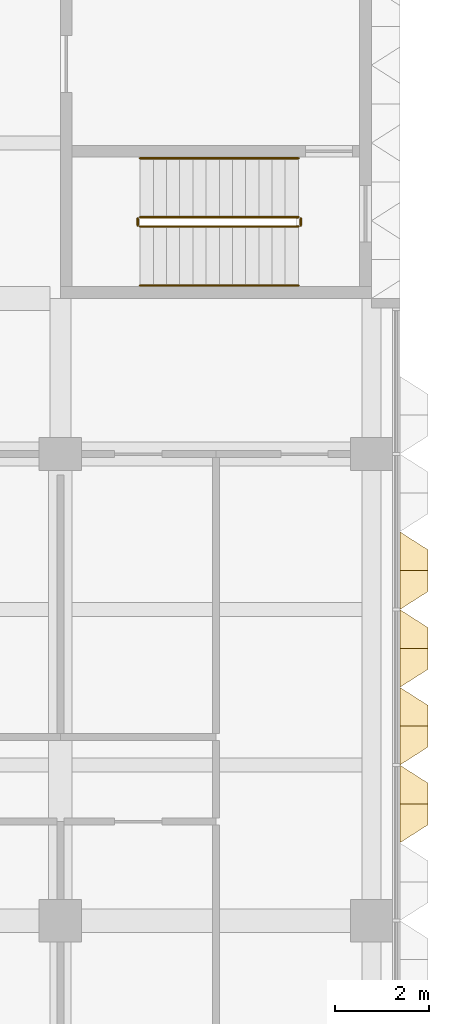
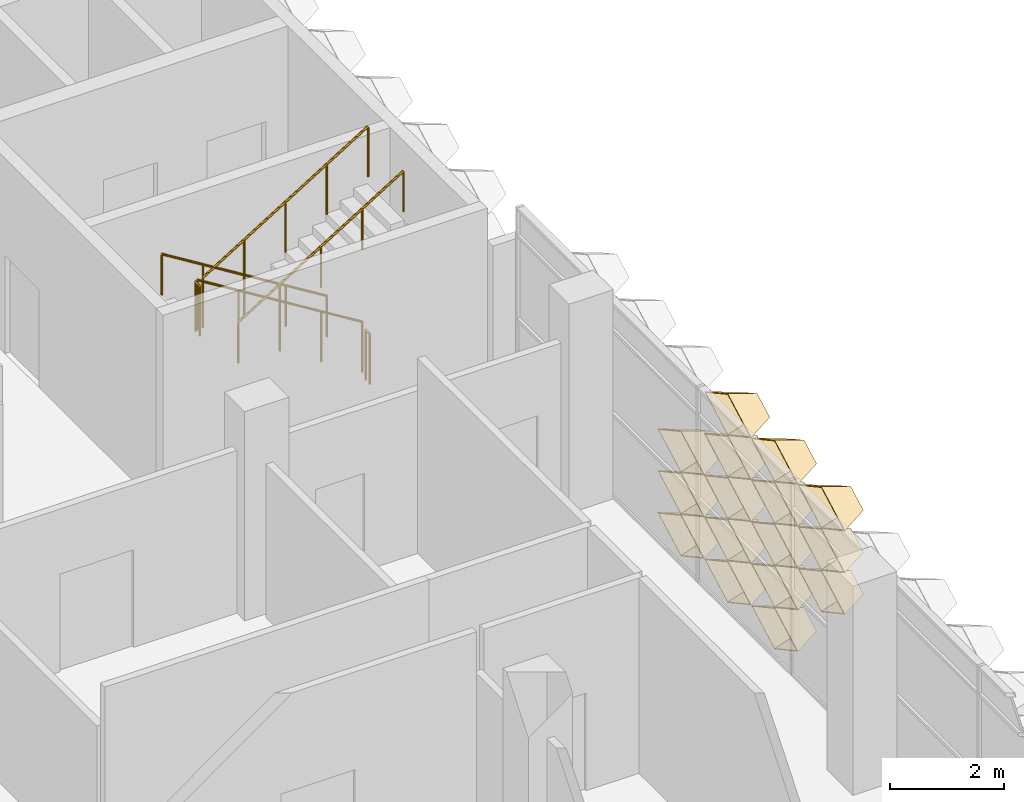
# One storey, part 81 of 109: 16 coverings, 6 railings.
"""IFC4 building model written with IfcOpenShell, lengths in metres."""

from ifc_helpers import new_model, entity, si_unit, direction, frame, origin, origin_2d, place, context, subcontext, project, spatial, circle, extrude, material, layer, layer_set, type_object, element, save


model = new_model("IFC4")

# Units and contexts
model_context = context("Model", 3, precision=1e-05, world=origin(), true_north=direction((0.0, 1.0)))
body_context = subcontext(model_context, "Body", "Model", "MODEL_VIEW")
ifc_project = project(units=[si_unit("LENGTHUNIT", "METRE"), si_unit("AREAUNIT", "SQUARE_METRE"), si_unit("VOLUMEUNIT", "CUBIC_METRE"), si_unit("PLANEANGLEUNIT", "RADIAN"), si_unit("MASSUNIT", "GRAM", prefix="KILO")], contexts=[model_context])

# Site, building, storey
site_placement = place(None, origin())
site = spatial("IfcSite", under=ifc_project, at=site_placement, CompositionType="ELEMENT")
building_placement = place(site_placement, origin())
building = spatial("IfcBuilding", under=site, at=building_placement, Name="Lantern Court Research Institute", CompositionType="ELEMENT")
storey_placement = place(building_placement, frame((0.0, 0.0, 14.39990234375)))
storey = spatial("IfcBuildingStorey", under=building, at=storey_placement, Name="L03", CompositionType="ELEMENT", Elevation=14.39990234375)

# Coverings
ifc_material_1 = material(Name="Anodised aluminium", Category="aluminium")
ifc_layer = layer(ifc_material_1, 0.01611328125)
ifc_layer_set = layer_set([ifc_layer], Name="Anodised aluminium")
covering_type = type_object("IfcCoveringType", Name="Fin cassette 1650 x 900 x 600 aluminium", PredefinedType="CLADDING", material=ifc_layer_set)
covering_1_placement = place(storey_placement, frame((79.800048828125, 4.125, 0.4501953125), z_axis=(1.0, 0.0, 0.0), x_axis=(0.0, 1.0, 0.0)))
cartesian_point_1 = entity("IfcCartesianPoint", [0.824951171875, 0.0])
cartesian_point_2 = entity("IfcCartesianPoint", [0.79150390625, 0.0])
cartesian_point_3 = entity("IfcCartesianPoint", [0.44189453125, 0.0])
cartesian_point_4 = entity("IfcCartesianPoint", [0.43359375, 0.0])
element("IfcCovering", 1, at=covering_1_placement, inside=storey, type_object=covering_type, Name="Fin cassette V5E-L03 1.3", PredefinedType="CLADDING", context=body_context, shape_type="SweptSolid", body=[
    entity("IfcExtrudedAreaSolidTapered", entity("IfcArbitraryProfileDefWithVoids", "AREA", None, entity("IfcPolyline", [cartesian_point_1, entity("IfcCartesianPoint", [0.0, 0.449951171875]), entity("IfcCartesianPoint", [-0.824951171875, 0.0]), entity("IfcCartesianPoint", [0.0, -0.449951171875]), cartesian_point_1]), [entity("IfcPolyline", [cartesian_point_2, entity("IfcCartesianPoint", [0.0, 0.431884765625]), entity("IfcCartesianPoint", [-0.79150390625, 0.0]), entity("IfcCartesianPoint", [0.0, -0.431884765625]), cartesian_point_2])]), entity("IfcAxis2Placement3D", entity("IfcCartesianPoint", [0.0, 0.0, 0.0])), entity("IfcDirection", [0.0, 0.0, 1.0]), 0.60009765625, entity("IfcArbitraryProfileDefWithVoids", "AREA", None, entity("IfcPolyline", [cartesian_point_3, entity("IfcCartesianPoint", [0.0, 0.240966796875]), entity("IfcCartesianPoint", [-0.44189453125, 0.0]), entity("IfcCartesianPoint", [0.0, -0.240966796875]), cartesian_point_3]), [entity("IfcPolyline", [cartesian_point_4, entity("IfcCartesianPoint", [0.0, 0.236572265625]), entity("IfcCartesianPoint", [-0.43359375, 0.0]), entity("IfcCartesianPoint", [0.0, -0.236572265625]), cartesian_point_4])])),
])
covering_2_placement = place(storey_placement, frame((79.800048828125, 5.77490234375, 0.4501953125), z_axis=(1.0, 0.0, 0.0), x_axis=(0.0, 1.0, 0.0)))
cartesian_point_5 = entity("IfcCartesianPoint", [0.824951171875, 0.0])
cartesian_point_6 = entity("IfcCartesianPoint", [0.79150390625, 0.0])
cartesian_point_7 = entity("IfcCartesianPoint", [0.44189453125, 0.0])
cartesian_point_8 = entity("IfcCartesianPoint", [0.43359375, 0.0])
element("IfcCovering", 2, at=covering_2_placement, inside=storey, type_object=covering_type, Name="Fin cassette V5E-L03 1.4", PredefinedType="CLADDING", context=body_context, shape_type="SweptSolid", body=[
    entity("IfcExtrudedAreaSolidTapered", entity("IfcArbitraryProfileDefWithVoids", "AREA", None, entity("IfcPolyline", [cartesian_point_5, entity("IfcCartesianPoint", [0.0, 0.449951171875]), entity("IfcCartesianPoint", [-0.824951171875, 0.0]), entity("IfcCartesianPoint", [0.0, -0.449951171875]), cartesian_point_5]), [entity("IfcPolyline", [cartesian_point_6, entity("IfcCartesianPoint", [0.0, 0.431884765625]), entity("IfcCartesianPoint", [-0.79150390625, 0.0]), entity("IfcCartesianPoint", [0.0, -0.431884765625]), cartesian_point_6])]), entity("IfcAxis2Placement3D", entity("IfcCartesianPoint", [0.0, 0.0, 0.0])), entity("IfcDirection", [0.0, 0.0, 1.0]), 0.60009765625, entity("IfcArbitraryProfileDefWithVoids", "AREA", None, entity("IfcPolyline", [cartesian_point_7, entity("IfcCartesianPoint", [0.0, 0.240966796875]), entity("IfcCartesianPoint", [-0.44189453125, 0.0]), entity("IfcCartesianPoint", [0.0, -0.240966796875]), cartesian_point_7]), [entity("IfcPolyline", [cartesian_point_8, entity("IfcCartesianPoint", [0.0, 0.236572265625]), entity("IfcCartesianPoint", [-0.43359375, 0.0]), entity("IfcCartesianPoint", [0.0, -0.236572265625]), cartesian_point_8])])),
])
covering_3_placement = place(storey_placement, frame((79.800048828125, 7.425048828125, 0.4501953125), z_axis=(1.0, 0.0, 0.0), x_axis=(0.0, 1.0, 0.0)))
cartesian_point_9 = entity("IfcCartesianPoint", [0.824951171875, 0.0])
cartesian_point_10 = entity("IfcCartesianPoint", [0.79150390625, 0.0])
cartesian_point_11 = entity("IfcCartesianPoint", [0.44189453125, 0.0])
cartesian_point_12 = entity("IfcCartesianPoint", [0.43359375, 0.0])
element("IfcCovering", 3, at=covering_3_placement, inside=storey, type_object=covering_type, Name="Fin cassette V5E-L03 1.5", PredefinedType="CLADDING", context=body_context, shape_type="SweptSolid", body=[
    entity("IfcExtrudedAreaSolidTapered", entity("IfcArbitraryProfileDefWithVoids", "AREA", None, entity("IfcPolyline", [cartesian_point_9, entity("IfcCartesianPoint", [0.0, 0.449951171875]), entity("IfcCartesianPoint", [-0.824951171875, 0.0]), entity("IfcCartesianPoint", [0.0, -0.449951171875]), cartesian_point_9]), [entity("IfcPolyline", [cartesian_point_10, entity("IfcCartesianPoint", [0.0, 0.431884765625]), entity("IfcCartesianPoint", [-0.79150390625, 0.0]), entity("IfcCartesianPoint", [0.0, -0.431884765625]), cartesian_point_10])]), entity("IfcAxis2Placement3D", entity("IfcCartesianPoint", [0.0, 0.0, 0.0])), entity("IfcDirection", [0.0, 0.0, 1.0]), 0.60009765625, entity("IfcArbitraryProfileDefWithVoids", "AREA", None, entity("IfcPolyline", [cartesian_point_11, entity("IfcCartesianPoint", [0.0, 0.240966796875]), entity("IfcCartesianPoint", [-0.44189453125, 0.0]), entity("IfcCartesianPoint", [0.0, -0.240966796875]), cartesian_point_11]), [entity("IfcPolyline", [cartesian_point_12, entity("IfcCartesianPoint", [0.0, 0.236572265625]), entity("IfcCartesianPoint", [-0.43359375, 0.0]), entity("IfcCartesianPoint", [0.0, -0.236572265625]), cartesian_point_12])])),
])
covering_4_placement = place(storey_placement, frame((79.800048828125, 4.125, 1.35009765625), z_axis=(1.0, 0.0, 0.0), x_axis=(0.0, 1.0, 0.0)))
cartesian_point_13 = entity("IfcCartesianPoint", [0.824951171875, 0.0])
cartesian_point_14 = entity("IfcCartesianPoint", [0.79150390625, 0.0])
cartesian_point_15 = entity("IfcCartesianPoint", [0.44189453125, 0.0])
cartesian_point_16 = entity("IfcCartesianPoint", [0.43359375, 0.0])
element("IfcCovering", 4, at=covering_4_placement, inside=storey, type_object=covering_type, Name="Fin cassette V5E-L03 2.3", PredefinedType="CLADDING", context=body_context, shape_type="SweptSolid", body=[
    entity("IfcExtrudedAreaSolidTapered", entity("IfcArbitraryProfileDefWithVoids", "AREA", None, entity("IfcPolyline", [cartesian_point_13, entity("IfcCartesianPoint", [0.0, 0.449951171875]), entity("IfcCartesianPoint", [-0.824951171875, 0.0]), entity("IfcCartesianPoint", [0.0, -0.449951171875]), cartesian_point_13]), [entity("IfcPolyline", [cartesian_point_14, entity("IfcCartesianPoint", [0.0, 0.431884765625]), entity("IfcCartesianPoint", [-0.79150390625, 0.0]), entity("IfcCartesianPoint", [0.0, -0.431884765625]), cartesian_point_14])]), entity("IfcAxis2Placement3D", entity("IfcCartesianPoint", [0.0, 0.0, 0.0])), entity("IfcDirection", [0.0, 0.0, 1.0]), 0.60009765625, entity("IfcArbitraryProfileDefWithVoids", "AREA", None, entity("IfcPolyline", [cartesian_point_15, entity("IfcCartesianPoint", [0.0, 0.240966796875]), entity("IfcCartesianPoint", [-0.44189453125, 0.0]), entity("IfcCartesianPoint", [0.0, -0.240966796875]), cartesian_point_15]), [entity("IfcPolyline", [cartesian_point_16, entity("IfcCartesianPoint", [0.0, 0.236572265625]), entity("IfcCartesianPoint", [-0.43359375, 0.0]), entity("IfcCartesianPoint", [0.0, -0.236572265625]), cartesian_point_16])])),
])
covering_5_placement = place(storey_placement, frame((79.800048828125, 5.77490234375, 1.35009765625), z_axis=(1.0, 0.0, 0.0), x_axis=(0.0, 1.0, 0.0)))
cartesian_point_17 = entity("IfcCartesianPoint", [0.824951171875, 0.0])
cartesian_point_18 = entity("IfcCartesianPoint", [0.79150390625, 0.0])
cartesian_point_19 = entity("IfcCartesianPoint", [0.44189453125, 0.0])
cartesian_point_20 = entity("IfcCartesianPoint", [0.43359375, 0.0])
element("IfcCovering", 5, at=covering_5_placement, inside=storey, type_object=covering_type, Name="Fin cassette V5E-L03 2.4", PredefinedType="CLADDING", context=body_context, shape_type="SweptSolid", body=[
    entity("IfcExtrudedAreaSolidTapered", entity("IfcArbitraryProfileDefWithVoids", "AREA", None, entity("IfcPolyline", [cartesian_point_17, entity("IfcCartesianPoint", [0.0, 0.449951171875]), entity("IfcCartesianPoint", [-0.824951171875, 0.0]), entity("IfcCartesianPoint", [0.0, -0.449951171875]), cartesian_point_17]), [entity("IfcPolyline", [cartesian_point_18, entity("IfcCartesianPoint", [0.0, 0.431884765625]), entity("IfcCartesianPoint", [-0.79150390625, 0.0]), entity("IfcCartesianPoint", [0.0, -0.431884765625]), cartesian_point_18])]), entity("IfcAxis2Placement3D", entity("IfcCartesianPoint", [0.0, 0.0, 0.0])), entity("IfcDirection", [0.0, 0.0, 1.0]), 0.60009765625, entity("IfcArbitraryProfileDefWithVoids", "AREA", None, entity("IfcPolyline", [cartesian_point_19, entity("IfcCartesianPoint", [0.0, 0.240966796875]), entity("IfcCartesianPoint", [-0.44189453125, 0.0]), entity("IfcCartesianPoint", [0.0, -0.240966796875]), cartesian_point_19]), [entity("IfcPolyline", [cartesian_point_20, entity("IfcCartesianPoint", [0.0, 0.236572265625]), entity("IfcCartesianPoint", [-0.43359375, 0.0]), entity("IfcCartesianPoint", [0.0, -0.236572265625]), cartesian_point_20])])),
])
covering_6_placement = place(storey_placement, frame((79.800048828125, 7.425048828125, 1.35009765625), z_axis=(1.0, 0.0, 0.0), x_axis=(0.0, 1.0, 0.0)))
cartesian_point_21 = entity("IfcCartesianPoint", [0.824951171875, 0.0])
cartesian_point_22 = entity("IfcCartesianPoint", [0.79150390625, 0.0])
cartesian_point_23 = entity("IfcCartesianPoint", [0.44189453125, 0.0])
cartesian_point_24 = entity("IfcCartesianPoint", [0.43359375, 0.0])
element("IfcCovering", 6, at=covering_6_placement, inside=storey, type_object=covering_type, Name="Fin cassette V5E-L03 2.5", PredefinedType="CLADDING", context=body_context, shape_type="SweptSolid", body=[
    entity("IfcExtrudedAreaSolidTapered", entity("IfcArbitraryProfileDefWithVoids", "AREA", None, entity("IfcPolyline", [cartesian_point_21, entity("IfcCartesianPoint", [0.0, 0.449951171875]), entity("IfcCartesianPoint", [-0.824951171875, 0.0]), entity("IfcCartesianPoint", [0.0, -0.449951171875]), cartesian_point_21]), [entity("IfcPolyline", [cartesian_point_22, entity("IfcCartesianPoint", [0.0, 0.431884765625]), entity("IfcCartesianPoint", [-0.79150390625, 0.0]), entity("IfcCartesianPoint", [0.0, -0.431884765625]), cartesian_point_22])]), entity("IfcAxis2Placement3D", entity("IfcCartesianPoint", [0.0, 0.0, 0.0])), entity("IfcDirection", [0.0, 0.0, 1.0]), 0.60009765625, entity("IfcArbitraryProfileDefWithVoids", "AREA", None, entity("IfcPolyline", [cartesian_point_23, entity("IfcCartesianPoint", [0.0, 0.240966796875]), entity("IfcCartesianPoint", [-0.44189453125, 0.0]), entity("IfcCartesianPoint", [0.0, -0.240966796875]), cartesian_point_23]), [entity("IfcPolyline", [cartesian_point_24, entity("IfcCartesianPoint", [0.0, 0.236572265625]), entity("IfcCartesianPoint", [-0.43359375, 0.0]), entity("IfcCartesianPoint", [0.0, -0.236572265625]), cartesian_point_24])])),
])
covering_7_placement = place(storey_placement, frame((79.800048828125, 2.47509765625, 2.25), z_axis=(1.0, 0.0, 0.0), x_axis=(0.0, 1.0, 0.0)))
cartesian_point_25 = entity("IfcCartesianPoint", [0.824951171875, 0.0])
cartesian_point_26 = entity("IfcCartesianPoint", [0.79150390625, 0.0])
cartesian_point_27 = entity("IfcCartesianPoint", [0.44189453125, 0.0])
cartesian_point_28 = entity("IfcCartesianPoint", [0.43359375, 0.0])
element("IfcCovering", 7, at=covering_7_placement, inside=storey, type_object=covering_type, Name="Fin cassette V5E-L03 3.2", PredefinedType="CLADDING", context=body_context, shape_type="SweptSolid", body=[
    entity("IfcExtrudedAreaSolidTapered", entity("IfcArbitraryProfileDefWithVoids", "AREA", None, entity("IfcPolyline", [cartesian_point_25, entity("IfcCartesianPoint", [0.0, 0.449951171875]), entity("IfcCartesianPoint", [-0.824951171875, 0.0]), entity("IfcCartesianPoint", [0.0, -0.449951171875]), cartesian_point_25]), [entity("IfcPolyline", [cartesian_point_26, entity("IfcCartesianPoint", [0.0, 0.431884765625]), entity("IfcCartesianPoint", [-0.79150390625, 0.0]), entity("IfcCartesianPoint", [0.0, -0.431884765625]), cartesian_point_26])]), entity("IfcAxis2Placement3D", entity("IfcCartesianPoint", [0.0, 0.0, 0.0])), entity("IfcDirection", [0.0, 0.0, 1.0]), 0.60009765625, entity("IfcArbitraryProfileDefWithVoids", "AREA", None, entity("IfcPolyline", [cartesian_point_27, entity("IfcCartesianPoint", [0.0, 0.240966796875]), entity("IfcCartesianPoint", [-0.44189453125, 0.0]), entity("IfcCartesianPoint", [0.0, -0.240966796875]), cartesian_point_27]), [entity("IfcPolyline", [cartesian_point_28, entity("IfcCartesianPoint", [0.0, 0.236572265625]), entity("IfcCartesianPoint", [-0.43359375, 0.0]), entity("IfcCartesianPoint", [0.0, -0.236572265625]), cartesian_point_28])])),
])
covering_8_placement = place(storey_placement, frame((79.800048828125, 4.125, 2.25), z_axis=(1.0, 0.0, 0.0), x_axis=(0.0, 1.0, 0.0)))
cartesian_point_29 = entity("IfcCartesianPoint", [0.824951171875, 0.0])
cartesian_point_30 = entity("IfcCartesianPoint", [0.79150390625, 0.0])
cartesian_point_31 = entity("IfcCartesianPoint", [0.44189453125, 0.0])
cartesian_point_32 = entity("IfcCartesianPoint", [0.43359375, 0.0])
element("IfcCovering", 8, at=covering_8_placement, inside=storey, type_object=covering_type, Name="Fin cassette V5E-L03 3.3", PredefinedType="CLADDING", context=body_context, shape_type="SweptSolid", body=[
    entity("IfcExtrudedAreaSolidTapered", entity("IfcArbitraryProfileDefWithVoids", "AREA", None, entity("IfcPolyline", [cartesian_point_29, entity("IfcCartesianPoint", [0.0, 0.449951171875]), entity("IfcCartesianPoint", [-0.824951171875, 0.0]), entity("IfcCartesianPoint", [0.0, -0.449951171875]), cartesian_point_29]), [entity("IfcPolyline", [cartesian_point_30, entity("IfcCartesianPoint", [0.0, 0.431884765625]), entity("IfcCartesianPoint", [-0.79150390625, 0.0]), entity("IfcCartesianPoint", [0.0, -0.431884765625]), cartesian_point_30])]), entity("IfcAxis2Placement3D", entity("IfcCartesianPoint", [0.0, 0.0, 0.0])), entity("IfcDirection", [0.0, 0.0, 1.0]), 0.60009765625, entity("IfcArbitraryProfileDefWithVoids", "AREA", None, entity("IfcPolyline", [cartesian_point_31, entity("IfcCartesianPoint", [0.0, 0.240966796875]), entity("IfcCartesianPoint", [-0.44189453125, 0.0]), entity("IfcCartesianPoint", [0.0, -0.240966796875]), cartesian_point_31]), [entity("IfcPolyline", [cartesian_point_32, entity("IfcCartesianPoint", [0.0, 0.236572265625]), entity("IfcCartesianPoint", [-0.43359375, 0.0]), entity("IfcCartesianPoint", [0.0, -0.236572265625]), cartesian_point_32])])),
])
covering_9_placement = place(storey_placement, frame((79.800048828125, 5.77490234375, 2.25), z_axis=(1.0, 0.0, 0.0), x_axis=(0.0, 1.0, 0.0)))
cartesian_point_33 = entity("IfcCartesianPoint", [0.824951171875, 0.0])
cartesian_point_34 = entity("IfcCartesianPoint", [0.79150390625, 0.0])
cartesian_point_35 = entity("IfcCartesianPoint", [0.44189453125, 0.0])
cartesian_point_36 = entity("IfcCartesianPoint", [0.43359375, 0.0])
element("IfcCovering", 9, at=covering_9_placement, inside=storey, type_object=covering_type, Name="Fin cassette V5E-L03 3.4", PredefinedType="CLADDING", context=body_context, shape_type="SweptSolid", body=[
    entity("IfcExtrudedAreaSolidTapered", entity("IfcArbitraryProfileDefWithVoids", "AREA", None, entity("IfcPolyline", [cartesian_point_33, entity("IfcCartesianPoint", [0.0, 0.449951171875]), entity("IfcCartesianPoint", [-0.824951171875, 0.0]), entity("IfcCartesianPoint", [0.0, -0.449951171875]), cartesian_point_33]), [entity("IfcPolyline", [cartesian_point_34, entity("IfcCartesianPoint", [0.0, 0.431884765625]), entity("IfcCartesianPoint", [-0.79150390625, 0.0]), entity("IfcCartesianPoint", [0.0, -0.431884765625]), cartesian_point_34])]), entity("IfcAxis2Placement3D", entity("IfcCartesianPoint", [0.0, 0.0, 0.0])), entity("IfcDirection", [0.0, 0.0, 1.0]), 0.60009765625, entity("IfcArbitraryProfileDefWithVoids", "AREA", None, entity("IfcPolyline", [cartesian_point_35, entity("IfcCartesianPoint", [0.0, 0.240966796875]), entity("IfcCartesianPoint", [-0.44189453125, 0.0]), entity("IfcCartesianPoint", [0.0, -0.240966796875]), cartesian_point_35]), [entity("IfcPolyline", [cartesian_point_36, entity("IfcCartesianPoint", [0.0, 0.236572265625]), entity("IfcCartesianPoint", [-0.43359375, 0.0]), entity("IfcCartesianPoint", [0.0, -0.236572265625]), cartesian_point_36])])),
])
covering_10_placement = place(storey_placement, frame((79.800048828125, 7.425048828125, 2.25), z_axis=(1.0, 0.0, 0.0), x_axis=(0.0, 1.0, 0.0)))
cartesian_point_37 = entity("IfcCartesianPoint", [0.824951171875, 0.0])
cartesian_point_38 = entity("IfcCartesianPoint", [0.79150390625, 0.0])
cartesian_point_39 = entity("IfcCartesianPoint", [0.44189453125, 0.0])
cartesian_point_40 = entity("IfcCartesianPoint", [0.43359375, 0.0])
element("IfcCovering", 10, at=covering_10_placement, inside=storey, type_object=covering_type, Name="Fin cassette V5E-L03 3.5", PredefinedType="CLADDING", context=body_context, shape_type="SweptSolid", body=[
    entity("IfcExtrudedAreaSolidTapered", entity("IfcArbitraryProfileDefWithVoids", "AREA", None, entity("IfcPolyline", [cartesian_point_37, entity("IfcCartesianPoint", [0.0, 0.449951171875]), entity("IfcCartesianPoint", [-0.824951171875, 0.0]), entity("IfcCartesianPoint", [0.0, -0.449951171875]), cartesian_point_37]), [entity("IfcPolyline", [cartesian_point_38, entity("IfcCartesianPoint", [0.0, 0.431884765625]), entity("IfcCartesianPoint", [-0.79150390625, 0.0]), entity("IfcCartesianPoint", [0.0, -0.431884765625]), cartesian_point_38])]), entity("IfcAxis2Placement3D", entity("IfcCartesianPoint", [0.0, 0.0, 0.0])), entity("IfcDirection", [0.0, 0.0, 1.0]), 0.60009765625, entity("IfcArbitraryProfileDefWithVoids", "AREA", None, entity("IfcPolyline", [cartesian_point_39, entity("IfcCartesianPoint", [0.0, 0.240966796875]), entity("IfcCartesianPoint", [-0.44189453125, 0.0]), entity("IfcCartesianPoint", [0.0, -0.240966796875]), cartesian_point_39]), [entity("IfcPolyline", [cartesian_point_40, entity("IfcCartesianPoint", [0.0, 0.236572265625]), entity("IfcCartesianPoint", [-0.43359375, 0.0]), entity("IfcCartesianPoint", [0.0, -0.236572265625]), cartesian_point_40])])),
])
covering_11_placement = place(storey_placement, frame((79.800048828125, 2.47509765625, 3.150146484375), z_axis=(1.0, 0.0, 0.0), x_axis=(0.0, 1.0, 0.0)))
cartesian_point_41 = entity("IfcCartesianPoint", [0.824951171875, 0.0])
cartesian_point_42 = entity("IfcCartesianPoint", [0.79150390625, 0.0])
cartesian_point_43 = entity("IfcCartesianPoint", [0.44189453125, 0.0])
cartesian_point_44 = entity("IfcCartesianPoint", [0.43359375, 0.0])
element("IfcCovering", 11, at=covering_11_placement, inside=storey, type_object=covering_type, Name="Fin cassette V5E-L03 4.2", PredefinedType="CLADDING", context=body_context, shape_type="SweptSolid", body=[
    entity("IfcExtrudedAreaSolidTapered", entity("IfcArbitraryProfileDefWithVoids", "AREA", None, entity("IfcPolyline", [cartesian_point_41, entity("IfcCartesianPoint", [0.0, 0.449951171875]), entity("IfcCartesianPoint", [-0.824951171875, 0.0]), entity("IfcCartesianPoint", [0.0, -0.449951171875]), cartesian_point_41]), [entity("IfcPolyline", [cartesian_point_42, entity("IfcCartesianPoint", [0.0, 0.431884765625]), entity("IfcCartesianPoint", [-0.79150390625, 0.0]), entity("IfcCartesianPoint", [0.0, -0.431884765625]), cartesian_point_42])]), entity("IfcAxis2Placement3D", entity("IfcCartesianPoint", [0.0, 0.0, 0.0])), entity("IfcDirection", [0.0, 0.0, 1.0]), 0.60009765625, entity("IfcArbitraryProfileDefWithVoids", "AREA", None, entity("IfcPolyline", [cartesian_point_43, entity("IfcCartesianPoint", [0.0, 0.240966796875]), entity("IfcCartesianPoint", [-0.44189453125, 0.0]), entity("IfcCartesianPoint", [0.0, -0.240966796875]), cartesian_point_43]), [entity("IfcPolyline", [cartesian_point_44, entity("IfcCartesianPoint", [0.0, 0.236572265625]), entity("IfcCartesianPoint", [-0.43359375, 0.0]), entity("IfcCartesianPoint", [0.0, -0.236572265625]), cartesian_point_44])])),
])
covering_12_placement = place(storey_placement, frame((79.800048828125, 4.125, 3.150146484375), z_axis=(1.0, 0.0, 0.0), x_axis=(0.0, 1.0, 0.0)))
cartesian_point_45 = entity("IfcCartesianPoint", [0.824951171875, 0.0])
cartesian_point_46 = entity("IfcCartesianPoint", [0.79150390625, 0.0])
cartesian_point_47 = entity("IfcCartesianPoint", [0.44189453125, 0.0])
cartesian_point_48 = entity("IfcCartesianPoint", [0.43359375, 0.0])
element("IfcCovering", 12, at=covering_12_placement, inside=storey, type_object=covering_type, Name="Fin cassette V5E-L03 4.3", PredefinedType="CLADDING", context=body_context, shape_type="SweptSolid", body=[
    entity("IfcExtrudedAreaSolidTapered", entity("IfcArbitraryProfileDefWithVoids", "AREA", None, entity("IfcPolyline", [cartesian_point_45, entity("IfcCartesianPoint", [0.0, 0.449951171875]), entity("IfcCartesianPoint", [-0.824951171875, 0.0]), entity("IfcCartesianPoint", [0.0, -0.449951171875]), cartesian_point_45]), [entity("IfcPolyline", [cartesian_point_46, entity("IfcCartesianPoint", [0.0, 0.431884765625]), entity("IfcCartesianPoint", [-0.79150390625, 0.0]), entity("IfcCartesianPoint", [0.0, -0.431884765625]), cartesian_point_46])]), entity("IfcAxis2Placement3D", entity("IfcCartesianPoint", [0.0, 0.0, 0.0])), entity("IfcDirection", [0.0, 0.0, 1.0]), 0.60009765625, entity("IfcArbitraryProfileDefWithVoids", "AREA", None, entity("IfcPolyline", [cartesian_point_47, entity("IfcCartesianPoint", [0.0, 0.240966796875]), entity("IfcCartesianPoint", [-0.44189453125, 0.0]), entity("IfcCartesianPoint", [0.0, -0.240966796875]), cartesian_point_47]), [entity("IfcPolyline", [cartesian_point_48, entity("IfcCartesianPoint", [0.0, 0.236572265625]), entity("IfcCartesianPoint", [-0.43359375, 0.0]), entity("IfcCartesianPoint", [0.0, -0.236572265625]), cartesian_point_48])])),
])
covering_13_placement = place(storey_placement, frame((79.800048828125, 5.77490234375, 3.150146484375), z_axis=(1.0, 0.0, 0.0), x_axis=(0.0, 1.0, 0.0)))
cartesian_point_49 = entity("IfcCartesianPoint", [0.824951171875, 0.0])
cartesian_point_50 = entity("IfcCartesianPoint", [0.79150390625, 0.0])
cartesian_point_51 = entity("IfcCartesianPoint", [0.44189453125, 0.0])
cartesian_point_52 = entity("IfcCartesianPoint", [0.43359375, 0.0])
element("IfcCovering", 13, at=covering_13_placement, inside=storey, type_object=covering_type, Name="Fin cassette V5E-L03 4.4", PredefinedType="CLADDING", context=body_context, shape_type="SweptSolid", body=[
    entity("IfcExtrudedAreaSolidTapered", entity("IfcArbitraryProfileDefWithVoids", "AREA", None, entity("IfcPolyline", [cartesian_point_49, entity("IfcCartesianPoint", [0.0, 0.449951171875]), entity("IfcCartesianPoint", [-0.824951171875, 0.0]), entity("IfcCartesianPoint", [0.0, -0.449951171875]), cartesian_point_49]), [entity("IfcPolyline", [cartesian_point_50, entity("IfcCartesianPoint", [0.0, 0.431884765625]), entity("IfcCartesianPoint", [-0.79150390625, 0.0]), entity("IfcCartesianPoint", [0.0, -0.431884765625]), cartesian_point_50])]), entity("IfcAxis2Placement3D", entity("IfcCartesianPoint", [0.0, 0.0, 0.0])), entity("IfcDirection", [0.0, 0.0, 1.0]), 0.60009765625, entity("IfcArbitraryProfileDefWithVoids", "AREA", None, entity("IfcPolyline", [cartesian_point_51, entity("IfcCartesianPoint", [0.0, 0.240966796875]), entity("IfcCartesianPoint", [-0.44189453125, 0.0]), entity("IfcCartesianPoint", [0.0, -0.240966796875]), cartesian_point_51]), [entity("IfcPolyline", [cartesian_point_52, entity("IfcCartesianPoint", [0.0, 0.236572265625]), entity("IfcCartesianPoint", [-0.43359375, 0.0]), entity("IfcCartesianPoint", [0.0, -0.236572265625]), cartesian_point_52])])),
])
covering_14_placement = place(storey_placement, frame((79.800048828125, 2.47509765625, 4.050048828125), z_axis=(1.0, 0.0, 0.0), x_axis=(0.0, 1.0, 0.0)))
cartesian_point_53 = entity("IfcCartesianPoint", [0.824951171875, 0.0])
cartesian_point_54 = entity("IfcCartesianPoint", [0.79150390625, 0.0])
cartesian_point_55 = entity("IfcCartesianPoint", [0.44189453125, 0.0])
cartesian_point_56 = entity("IfcCartesianPoint", [0.43359375, 0.0])
element("IfcCovering", 14, at=covering_14_placement, inside=storey, type_object=covering_type, Name="Fin cassette V5E-L03 5.2", PredefinedType="CLADDING", context=body_context, shape_type="SweptSolid", body=[
    entity("IfcExtrudedAreaSolidTapered", entity("IfcArbitraryProfileDefWithVoids", "AREA", None, entity("IfcPolyline", [cartesian_point_53, entity("IfcCartesianPoint", [0.0, 0.449951171875]), entity("IfcCartesianPoint", [-0.824951171875, 0.0]), entity("IfcCartesianPoint", [0.0, -0.449951171875]), cartesian_point_53]), [entity("IfcPolyline", [cartesian_point_54, entity("IfcCartesianPoint", [0.0, 0.431884765625]), entity("IfcCartesianPoint", [-0.79150390625, 0.0]), entity("IfcCartesianPoint", [0.0, -0.431884765625]), cartesian_point_54])]), entity("IfcAxis2Placement3D", entity("IfcCartesianPoint", [0.0, 0.0, 0.0])), entity("IfcDirection", [0.0, 0.0, 1.0]), 0.60009765625, entity("IfcArbitraryProfileDefWithVoids", "AREA", None, entity("IfcPolyline", [cartesian_point_55, entity("IfcCartesianPoint", [0.0, 0.240966796875]), entity("IfcCartesianPoint", [-0.44189453125, 0.0]), entity("IfcCartesianPoint", [0.0, -0.240966796875]), cartesian_point_55]), [entity("IfcPolyline", [cartesian_point_56, entity("IfcCartesianPoint", [0.0, 0.236572265625]), entity("IfcCartesianPoint", [-0.43359375, 0.0]), entity("IfcCartesianPoint", [0.0, -0.236572265625]), cartesian_point_56])])),
])
covering_15_placement = place(storey_placement, frame((79.800048828125, 4.125, 4.050048828125), z_axis=(1.0, 0.0, 0.0), x_axis=(0.0, 1.0, 0.0)))
cartesian_point_57 = entity("IfcCartesianPoint", [0.824951171875, 0.0])
cartesian_point_58 = entity("IfcCartesianPoint", [0.79150390625, 0.0])
cartesian_point_59 = entity("IfcCartesianPoint", [0.44189453125, 0.0])
cartesian_point_60 = entity("IfcCartesianPoint", [0.43359375, 0.0])
element("IfcCovering", 15, at=covering_15_placement, inside=storey, type_object=covering_type, Name="Fin cassette V5E-L03 5.3", PredefinedType="CLADDING", context=body_context, shape_type="SweptSolid", body=[
    entity("IfcExtrudedAreaSolidTapered", entity("IfcArbitraryProfileDefWithVoids", "AREA", None, entity("IfcPolyline", [cartesian_point_57, entity("IfcCartesianPoint", [0.0, 0.449951171875]), entity("IfcCartesianPoint", [-0.824951171875, 0.0]), entity("IfcCartesianPoint", [0.0, -0.449951171875]), cartesian_point_57]), [entity("IfcPolyline", [cartesian_point_58, entity("IfcCartesianPoint", [0.0, 0.431884765625]), entity("IfcCartesianPoint", [-0.79150390625, 0.0]), entity("IfcCartesianPoint", [0.0, -0.431884765625]), cartesian_point_58])]), entity("IfcAxis2Placement3D", entity("IfcCartesianPoint", [0.0, 0.0, 0.0])), entity("IfcDirection", [0.0, 0.0, 1.0]), 0.60009765625, entity("IfcArbitraryProfileDefWithVoids", "AREA", None, entity("IfcPolyline", [cartesian_point_59, entity("IfcCartesianPoint", [0.0, 0.240966796875]), entity("IfcCartesianPoint", [-0.44189453125, 0.0]), entity("IfcCartesianPoint", [0.0, -0.240966796875]), cartesian_point_59]), [entity("IfcPolyline", [cartesian_point_60, entity("IfcCartesianPoint", [0.0, 0.236572265625]), entity("IfcCartesianPoint", [-0.43359375, 0.0]), entity("IfcCartesianPoint", [0.0, -0.236572265625]), cartesian_point_60])])),
])
covering_16_placement = place(storey_placement, frame((79.800048828125, 5.77490234375, 4.050048828125), z_axis=(1.0, 0.0, 0.0), x_axis=(0.0, 1.0, 0.0)))
cartesian_point_61 = entity("IfcCartesianPoint", [0.824951171875, 0.0])
cartesian_point_62 = entity("IfcCartesianPoint", [0.79150390625, 0.0])
cartesian_point_63 = entity("IfcCartesianPoint", [0.44189453125, 0.0])
cartesian_point_64 = entity("IfcCartesianPoint", [0.43359375, 0.0])
element("IfcCovering", 16, at=covering_16_placement, inside=storey, type_object=covering_type, Name="Fin cassette V5E-L03 5.4", PredefinedType="CLADDING", context=body_context, shape_type="SweptSolid", body=[
    entity("IfcExtrudedAreaSolidTapered", entity("IfcArbitraryProfileDefWithVoids", "AREA", None, entity("IfcPolyline", [cartesian_point_61, entity("IfcCartesianPoint", [0.0, 0.449951171875]), entity("IfcCartesianPoint", [-0.824951171875, 0.0]), entity("IfcCartesianPoint", [0.0, -0.449951171875]), cartesian_point_61]), [entity("IfcPolyline", [cartesian_point_62, entity("IfcCartesianPoint", [0.0, 0.431884765625]), entity("IfcCartesianPoint", [-0.79150390625, 0.0]), entity("IfcCartesianPoint", [0.0, -0.431884765625]), cartesian_point_62])]), entity("IfcAxis2Placement3D", entity("IfcCartesianPoint", [0.0, 0.0, 0.0])), entity("IfcDirection", [0.0, 0.0, 1.0]), 0.60009765625, entity("IfcArbitraryProfileDefWithVoids", "AREA", None, entity("IfcPolyline", [cartesian_point_63, entity("IfcCartesianPoint", [0.0, 0.240966796875]), entity("IfcCartesianPoint", [-0.44189453125, 0.0]), entity("IfcCartesianPoint", [0.0, -0.240966796875]), cartesian_point_63]), [entity("IfcPolyline", [cartesian_point_64, entity("IfcCartesianPoint", [0.0, 0.236572265625]), entity("IfcCartesianPoint", [-0.43359375, 0.0]), entity("IfcCartesianPoint", [0.0, -0.236572265625]), cartesian_point_64])])),
])

# Railings
ifc_material_2 = material(Name="Structural steel S355", Category="steel")
railing_type_1 = type_object("IfcRailingType", Name="Stair guard 1100 steel", PredefinedType="GUARDRAIL", material=ifc_material_2)
railing_1_placement = place(storey_placement, frame((77.64990234375, 14.925048828125, 0.173095703125)))
element("IfcRailing", 17, at=railing_1_placement, inside=storey, type_object=railing_type_1, Name="L03 ST-T2 stair guard 1", PredefinedType="GUARDRAIL", context=body_context, shape_type="SweptSolid", body=[
    extrude(circle(Radius=0.02392578125, at=origin_2d()), frame((0.0, 0.0, 1.076171875), z_axis=(-0.850606129759, 0.0, 0.525803396734), x_axis=(0.0, -1.0, 0.0)), (0.0, 0.0, 1.0), 3.949951171875),
    extrude(circle(Radius=0.02099609375, at=origin_2d()), origin(), (0.0, 0.0, 1.0), 1.052001953125),
    extrude(circle(Radius=0.02099609375, at=origin_2d()), frame((-0.83984375, 0.0, 0.519287109375)), (0.0, 0.0, 1.0), 1.052001953125),
    extrude(circle(Radius=0.02099609375, at=origin_2d()), frame((-1.679931640625, 0.0, 1.03857421875)), (0.0, 0.0, 1.0), 1.052001953125),
    extrude(circle(Radius=0.02099609375, at=origin_2d()), frame((-2.52001953125, 0.0, 1.5576171875)), (0.0, 0.0, 1.0), 1.052001953125),
    extrude(circle(Radius=0.02099609375, at=origin_2d()), frame((-3.35986328125, 0.0, 2.076904296875)), (0.0, 0.0, 1.0), 1.052001953125),
])
railing_2_placement = place(storey_placement, frame((74.239990234375, 14.89990234375, 2.25)))
element("IfcRailing", 18, at=railing_2_placement, inside=storey, type_object=railing_type_1, Name="L03 ST-T2 stair guard 2", PredefinedType="GUARDRAIL", context=body_context, shape_type="SweptSolid", body=[
    extrude(circle(Radius=0.02392578125, at=origin_2d()), frame((0.0, 0.0, 1.076171875), z_axis=(0.0, -1.0, 0.0), x_axis=(1.0, 0.0, 0.0)), (0.0, 0.0, 1.0), 0.14990234375),
    extrude(circle(Radius=0.02099609375, at=origin_2d()), origin(), (0.0, 0.0, 1.0), 1.052001953125),
    extrude(circle(Radius=0.02099609375, at=origin_2d()), frame((0.0, -0.14990234375, 0.0)), (0.0, 0.0, 1.0), 1.052001953125),
])
railing_3_placement = place(storey_placement, frame((74.2900390625, 14.72509765625, 2.423095703125)))
element("IfcRailing", 19, at=railing_3_placement, inside=storey, type_object=railing_type_1, Name="L03 ST-T2 stair guard 3", PredefinedType="GUARDRAIL", context=body_context, shape_type="SweptSolid", body=[
    extrude(circle(Radius=0.02392578125, at=origin_2d()), frame((0.0, 0.0, 1.076171875), z_axis=(0.850606129759, 0.0, 0.525803396734), x_axis=(0.0, 1.0, 0.0)), (0.0, 0.0, 1.0), 3.949951171875),
    extrude(circle(Radius=0.02099609375, at=origin_2d()), origin(), (0.0, 0.0, 1.0), 1.052001953125),
    extrude(circle(Radius=0.02099609375, at=origin_2d()), frame((0.83984375, 0.0, 0.519287109375)), (0.0, 0.0, 1.0), 1.052001953125),
    extrude(circle(Radius=0.02099609375, at=origin_2d()), frame((1.679931640625, 0.0, 1.03857421875)), (0.0, 0.0, 1.0), 1.052001953125),
    extrude(circle(Radius=0.02099609375, at=origin_2d()), frame((2.52001953125, 0.0, 1.5576171875)), (0.0, 0.0, 1.0), 1.052001953125),
    extrude(circle(Radius=0.02099609375, at=origin_2d()), frame((3.35986328125, 0.0, 2.076904296875)), (0.0, 0.0, 1.0), 1.052001953125),
])
railing_4_placement = place(storey_placement, frame((77.699951171875, 14.89990234375, 0.0)))
element("IfcRailing", 20, at=railing_4_placement, inside=storey, type_object=railing_type_1, Name="L03 ST-T2 stair guard 4", PredefinedType="GUARDRAIL", context=body_context, shape_type="SweptSolid", body=[
    extrude(circle(Radius=0.02392578125, at=origin_2d()), frame((0.0, 0.0, 1.076171875), z_axis=(0.0, -1.0, 0.0), x_axis=(1.0, 0.0, 0.0)), (0.0, 0.0, 1.0), 0.14990234375),
    extrude(circle(Radius=0.02099609375, at=origin_2d()), origin(), (0.0, 0.0, 1.0), 1.052001953125),
    extrude(circle(Radius=0.02099609375, at=origin_2d()), frame((0.0, -0.14990234375, 0.0)), (0.0, 0.0, 1.0), 1.052001953125),
])
ifc_material_3 = material(Name="Stainless steel 316", Category="steel")
railing_type_2 = type_object("IfcRailingType", Name="Stair handrail 900 steel", PredefinedType="HANDRAIL", material=ifc_material_3)
railing_5_placement = place(storey_placement, frame((77.64990234375, 16.175048828125, 0.173095703125)))
element("IfcRailing", 21, at=railing_5_placement, inside=storey, type_object=railing_type_2, Name="L03 ST-T2 stair handrail 1", PredefinedType="HANDRAIL", context=body_context, shape_type="SweptSolid", body=[
    extrude(circle(Radius=0.02392578125, at=origin_2d()), frame((0.0, 0.0, 0.8759765625), z_axis=(-0.850606129759, 0.0, 0.525803396734), x_axis=(0.0, -1.0, 0.0)), (0.0, 0.0, 1.0), 3.949951171875),
    extrude(circle(Radius=0.02099609375, at=origin_2d()), origin(), (0.0, 0.0, 1.0), 0.851806640625),
    extrude(circle(Radius=0.02099609375, at=origin_2d()), frame((-0.83984375, 0.0, 0.519287109375)), (0.0, 0.0, 1.0), 0.851806640625),
    extrude(circle(Radius=0.02099609375, at=origin_2d()), frame((-1.679931640625, 0.0, 1.03857421875)), (0.0, 0.0, 1.0), 0.851806640625),
    extrude(circle(Radius=0.02099609375, at=origin_2d()), frame((-2.52001953125, 0.0, 1.5576171875)), (0.0, 0.0, 1.0), 0.851806640625),
    extrude(circle(Radius=0.02099609375, at=origin_2d()), frame((-3.35986328125, 0.0, 2.076904296875)), (0.0, 0.0, 1.0), 0.851806640625),
])
railing_6_placement = place(storey_placement, frame((74.2900390625, 13.47509765625, 2.423095703125)))
element("IfcRailing", 22, at=railing_6_placement, inside=storey, type_object=railing_type_2, Name="L03 ST-T2 stair handrail 2", PredefinedType="HANDRAIL", context=body_context, shape_type="SweptSolid", body=[
    extrude(circle(Radius=0.02392578125, at=origin_2d()), frame((0.0, 0.0, 0.8759765625), z_axis=(0.850606129759, 0.0, 0.525803396734), x_axis=(0.0, 1.0, 0.0)), (0.0, 0.0, 1.0), 3.949951171875),
    extrude(circle(Radius=0.02099609375, at=origin_2d()), origin(), (0.0, 0.0, 1.0), 0.851806640625),
    extrude(circle(Radius=0.02099609375, at=origin_2d()), frame((0.83984375, 0.0, 0.519287109375)), (0.0, 0.0, 1.0), 0.851806640625),
    extrude(circle(Radius=0.02099609375, at=origin_2d()), frame((1.679931640625, 0.0, 1.03857421875)), (0.0, 0.0, 1.0), 0.851806640625),
    extrude(circle(Radius=0.02099609375, at=origin_2d()), frame((2.52001953125, 0.0, 1.5576171875)), (0.0, 0.0, 1.0), 0.851806640625),
    extrude(circle(Radius=0.02099609375, at=origin_2d()), frame((3.35986328125, 0.0, 2.076904296875)), (0.0, 0.0, 1.0), 0.851806640625),
])

save(model, "model.ifc")
